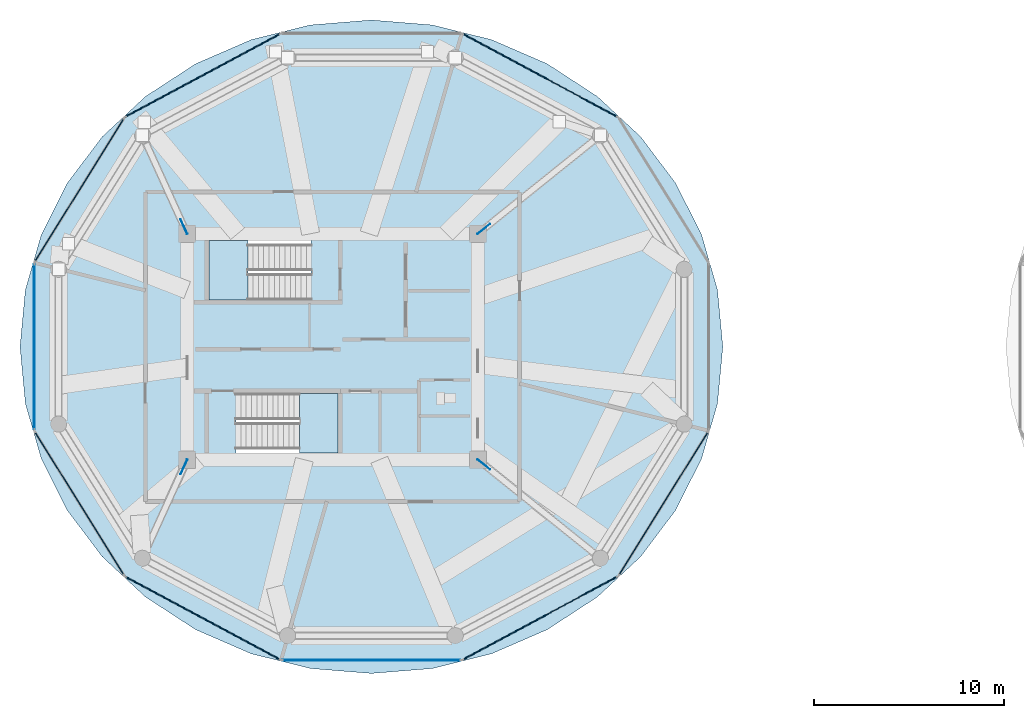
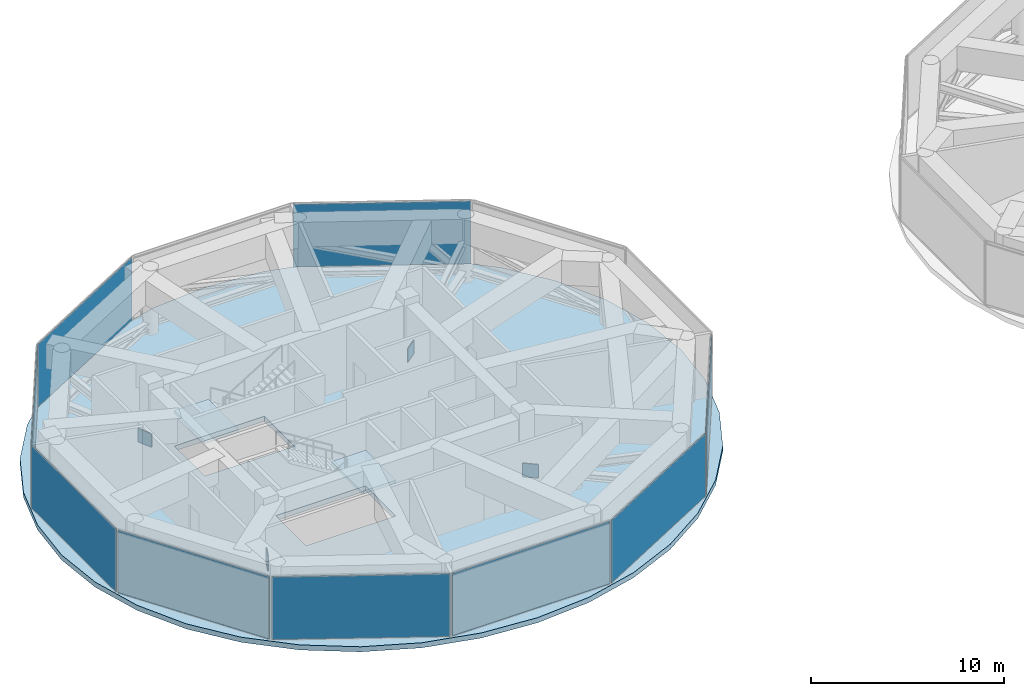
# One storey, part 12 of 23: 13 plates, 3 slabs, 11 elements without a shape of their own.
"""IFC4 building model written with IfcOpenShell, lengths in metres."""

from ifc_helpers import new_model, si_unit, direction, frame, origin, origin_2d, place, context, subcontext, project, spatial, polyline, rectangle, outline, extrude, source, transform, mapped, material, layer, layer_set, type_object, type_shapes, element, aggregate, save


model = new_model("IFC4")

# Units and contexts
model_context = context("Model", 3, precision=1e-05, world=origin(), true_north=direction((0.0, 1.0)))
body_context = subcontext(model_context, "Body", "Model", "MODEL_VIEW")
ifc_project = project(units=[si_unit("LENGTHUNIT", "METRE"), si_unit("AREAUNIT", "SQUARE_METRE"), si_unit("VOLUMEUNIT", "CUBIC_METRE"), si_unit("PLANEANGLEUNIT", "RADIAN"), si_unit("MASSUNIT", "GRAM", prefix="KILO")], contexts=[model_context])

# Site, building, storey
site_placement = place(None, origin())
site = spatial("IfcSite", under=ifc_project, at=site_placement, CompositionType="ELEMENT")
building_placement = place(site_placement, origin())
building = spatial("IfcBuilding", under=site, at=building_placement, Name="Norrkilde Senior Care Towers", CompositionType="ELEMENT")
storey_placement = place(building_placement, frame((0.0, 0.0, 129.800048828125)))
storey = spatial("IfcBuildingStorey", under=building, at=storey_placement, Name="L40", CompositionType="ELEMENT", Elevation=129.800048828125)

# Slab
ifc_material_1 = material(Name="Concrete C50/60", Category="concrete")
ifc_layer_1 = layer(ifc_material_1, 0.320068359375)
ifc_layer_set_1 = layer_set([ifc_layer_1], Name="Concrete C50/60")
slab_type_1 = type_object("IfcSlabType", Name="Podium Clinic Floor Slab 320", PredefinedType="FLOOR", material=ifc_layer_set_1)
slab_1_placement = place(storey_placement, frame((0.0, 0.0, -0.320068359375)))
element("IfcSlab", 1, at=slab_1_placement, inside=storey, type_object=slab_type_1, Name="L40 Drum W Structural Floor Slab", PredefinedType="FLOOR", context=body_context, shape_type="SweptSolid", body=[
    extrude(outline(polyline([(-8.565673828125, -5.8828125), (-9.928466796875, -8.60009765625), (-11.778076171875, -11.055908203125), (-14.058349609375, -13.176025390625), (-16.699951171875, -14.895751953125), (-19.62255859375, -16.16259765625), (-22.737548828125, -16.938720703125), (-25.949951171875, -17.199951171875), (-29.16259765625, -16.938720703125), (-32.27734375, -16.16259765625), (-35.199951171875, -14.895751953125), (-37.841552734375, -13.176025390625), (-40.121826171875, -11.055908203125), (-41.971435546875, -8.60009765625), (-43.334228515625, -5.8828125), (-44.1689453125, -2.98681640625), (-44.449951171875, 0.0), (-44.1689453125, 2.98681640625), (-43.334228515625, 5.8828125), (-41.971435546875, 8.60009765625), (-40.121826171875, 11.055908203125), (-37.841552734375, 13.176025390625), (-35.199951171875, 14.895751953125), (-32.27734375, 16.16259765625), (-29.16259765625, 16.938720703125), (-25.949951171875, 17.199951171875), (-22.737548828125, 16.938720703125), (-19.62255859375, 16.16259765625), (-16.699951171875, 14.895751953125), (-14.058349609375, 13.176025390625), (-11.778076171875, 11.055908203125), (-9.928466796875, 8.60009765625), (-8.565673828125, 5.8828125), (-7.73095703125, 2.98681640625), (-7.449951171875, 0.0), (-7.73095703125, -2.98681640625), (-8.565673828125, -5.8828125)]), holes=[polyline([(-34.48193359375, 2.468017578125), (-29.117919921875, 2.468017578125), (-29.117919921875, 5.590087890625), (-34.48193359375, 5.590087890625), (-34.48193359375, 2.468017578125)]), polyline([(-27.718017578125, -5.590087890625), (-27.718017578125, -2.468017578125), (-33.08203125, -2.468017578125), (-33.08203125, -5.590087890625), (-27.718017578125, -5.590087890625)])]), origin(), (0.0, 0.0, 1.0), 0.320068359375),
])

# Stair, slab
ifc_material_2 = material(Name="Concrete C45/55", Category="concrete")
stair_type = type_object("IfcStairType", Name="Core Protected Dogleg Stair Refuge 4500", PredefinedType="HALF_TURN_STAIR", material=ifc_material_2)
stair_1_placement = place(storey_placement, origin())
stair_1 = element("IfcStair", 2, at=stair_1_placement, inside=storey, type_object=stair_type, Name="L40 Protected Core Stair W1", PredefinedType="HALF_TURN_STAIR")
ifc_layer_2 = layer(ifc_material_2, 0.199951171875)
ifc_layer_set_2 = layer_set([ifc_layer_2], Name="Concrete C45/55")
slab_type_2 = type_object("IfcSlabType", Name="Stair Landing Slab 200", PredefinedType="LANDING", material=ifc_layer_set_2)
slab_2_placement = place(storey_placement, frame((0.0, 0.0, 2.050048828125)))
slab_2 = element("IfcSlab", 3, at=slab_2_placement, type_object=slab_type_2, Name="ST-W1 landing 1", PredefinedType="LANDING", context=body_context, shape_type="SweptSolid", body=[
    extrude(outline(polyline([(-32.4599609375, 5.590087890625), (-34.5, 5.590087890625), (-34.5, 2.449951171875), (-32.4599609375, 2.449951171875), (-32.4599609375, 5.590087890625)])), origin(), (0.0, 0.0, 1.0), 0.199951171875),
])
aggregate(stair_1, [slab_2])

stair_2_placement = place(storey_placement, origin())
stair_2 = element("IfcStair", 4, at=stair_2_placement, inside=storey, type_object=stair_type, Name="L40 Protected Core Stair W2", PredefinedType="HALF_TURN_STAIR")
slab_3_placement = place(storey_placement, frame((0.0, 0.0, 2.050048828125)))
slab_3 = element("IfcSlab", 5, at=slab_3_placement, type_object=slab_type_2, Name="ST-W2 landing 1", PredefinedType="LANDING", context=body_context, shape_type="SweptSolid", body=[
    extrude(outline(polyline([(-29.739990234375, -5.590087890625), (-27.699951171875, -5.590087890625), (-27.699951171875, -2.449951171875), (-29.739990234375, -2.449951171875), (-29.739990234375, -5.590087890625)])), origin(), (0.0, 0.0, 1.0), 0.199951171875),
])
aggregate(stair_2, [slab_3])

# Plates
ifc_material_3 = material(Name="Steel S355", Category="steel")
ifc_layer_3 = layer(ifc_material_3, 0.034912109375)
ifc_layer_set_3 = layer_set([ifc_layer_3], Name="Steel S355")
plate_type_1 = type_object("IfcPlateType", Name="Truss Node Gusset Plate 35", PredefinedType="USERDEFINED", material=ifc_layer_set_3)
shared_shape_1 = source(origin(), body_context, "Body", "SweptSolid", [
    extrude(rectangle(XDim=0.85009765625, YDim=0.034912109375, at=origin_2d()), origin(), (0.0, 0.0, 1.0), 0.85009765625),
])
type_shapes(plate_type_1, [shared_shape_1])
for number, where, z_axis, x_axis, name in (
    (6, (-35.819580078125, -6.3232421875, 0.125), (0.0, 0.0, 1.0), (-0.413581054412, -0.910467303878, 0.0), "L40 Outrigger Node Assembly ND-1 Gusset Plate"),
    (7, (-20.0302734375, -6.206787109375, 0.125), (0.0, 0.0, 1.0), (0.779571602072, -0.626313114379, 0.0), "L40 Outrigger Node Assembly ND-2 Gusset Plate"),
    (8, (-20.0302734375, 6.206787109375, 0.125), (0.0, 0.0, 1.0), (0.779571602072, 0.626313114379, 0.0), "L40 Outrigger Node Assembly ND-3 Gusset Plate"),
    (9, (-35.819580078125, 6.3232421875, 0.125), (0.0, 0.0, 1.0), (-0.413581054412, 0.910467303878, 0.0), "L40 Outrigger Node Assembly ND-4 Gusset Plate"),
):
    element("IfcPlate", number, at=place(storey_placement, frame(where, z_axis=z_axis, x_axis=x_axis)), inside=storey, type_object=plate_type_1, Name=name, ObjectType="GUSSET_PLATE", PredefinedType="USERDEFINED", context=body_context, shape_type="MappedRepresentation", body=[
        mapped(shared_shape_1, transform((0.0, 0.0, 0.0), x_axis=(1.0, 0.0, 0.0), y_axis=(0.0, 1.0, 0.0), z_axis=(0.0, 0.0, 1.0), scale=1.0)),
    ])

# Curtain wall, plate
ifc_material_4 = material(Name="Triple Low-E Insulated Glazing", Category="glass")
ifc_layer_4 = layer(ifc_material_4, 0.18505859375)
ifc_layer_set_4 = layer_set([ifc_layer_4], Name="Triple Low-E Insulated Glazing")
curtain_wall_type = type_object("IfcCurtainWallType", Name="CW6 Zone 4 Crown Pavilion Curtain Wall", PredefinedType="NOTDEFINED", material=ifc_layer_set_4)
curtain_wall_1_placement = place(storey_placement, origin())
curtain_wall_1 = element("IfcCurtainWall", 10, at=curtain_wall_1_placement, inside=storey, type_object=curtain_wall_type, Name="L40 Drum W Curtain Wall 04", PredefinedType="NOTDEFINED")
ifc_material_5 = material(Name="Architectural Terracotta", Category="masonry")
ifc_layer_5 = layer(ifc_material_5, 0.048095703125)
ifc_layer_set_5 = layer_set([ifc_layer_5], Name="Architectural Terracotta")
plate_type_2 = type_object("IfcPlateType", Name="Insulated Terracotta Spandrel Panel 48", PredefinedType="CURTAIN_PANEL", material=ifc_layer_set_5)
shared_shape_2 = source(origin(), body_context, "Body", "SweptSolid", [
    extrude(rectangle(XDim=8.874267578125, YDim=0.048095703125, at=origin_2d()), origin(), (0.0, 0.0, 1.0), 3.949951171875),
])
plate_1_placement = place(storey_placement, frame((-41.3251953125, 8.2490234375, 0.06494140625), z_axis=(0.0, 0.0, 1.0), x_axis=(0.527733228002, 0.849410171862, 0.0)))
plate_1 = element("IfcPlate", 11, at=plate_1_placement, type_object=plate_type_2, Name="CW-6 panel 1.1", PredefinedType="CURTAIN_PANEL", context=body_context, shape_type="MappedRepresentation", body=[
    mapped(shared_shape_2, transform((0.0, 0.0, 0.0), x_axis=(1.0, 0.0, 0.0), y_axis=(0.0, 1.0, 0.0), z_axis=(0.0, 0.0, 1.0), scale=1.0)),
])
aggregate(curtain_wall_1, [plate_1])

curtain_wall_2_placement = place(storey_placement, origin())
curtain_wall_2 = element("IfcCurtainWall", 12, at=curtain_wall_2_placement, inside=storey, type_object=curtain_wall_type, Name="L40 Drum W Curtain Wall 06", PredefinedType="NOTDEFINED")
plate_2_placement = place(storey_placement, frame((-41.3251953125, -8.2490234375, 0.06494140625), z_axis=(0.0, 0.0, 1.0), x_axis=(-0.527733228002, 0.849410171862, 0.0)))
plate_2 = element("IfcPlate", 13, at=plate_2_placement, type_object=plate_type_2, Name="CW-6 panel 1.1", PredefinedType="CURTAIN_PANEL", context=body_context, shape_type="MappedRepresentation", body=[
    mapped(shared_shape_2, transform((0.0, 0.0, 0.0), x_axis=(1.0, 0.0, 0.0), y_axis=(0.0, 1.0, 0.0), z_axis=(0.0, 0.0, 1.0), scale=1.0)),
])
aggregate(curtain_wall_2, [plate_2])

curtain_wall_3_placement = place(storey_placement, origin())
curtain_wall_3 = element("IfcCurtainWall", 14, at=curtain_wall_3_placement, inside=storey, type_object=curtain_wall_type, Name="L40 Drum W Curtain Wall 10", PredefinedType="NOTDEFINED")
plate_3_placement = place(storey_placement, frame((-10.574951171875, -8.2490234375, 0.06494140625), z_axis=(0.0, 0.0, 1.0), x_axis=(-0.527733228002, -0.849410171862, 0.0)))
plate_3 = element("IfcPlate", 15, at=plate_3_placement, type_object=plate_type_2, Name="CW-6 panel 1.1", PredefinedType="CURTAIN_PANEL", context=body_context, shape_type="MappedRepresentation", body=[
    mapped(shared_shape_2, transform((0.0, 0.0, 0.0), x_axis=(1.0, 0.0, 0.0), y_axis=(0.0, 1.0, 0.0), z_axis=(0.0, 0.0, 1.0), scale=1.0)),
])
aggregate(curtain_wall_3, [plate_3])

curtain_wall_4_placement = place(storey_placement, origin())
curtain_wall_4 = element("IfcCurtainWall", 16, at=curtain_wall_4_placement, inside=storey, type_object=curtain_wall_type, Name="L40 Drum W Curtain Wall 01", PredefinedType="NOTDEFINED")
shared_shape_3 = source(origin(), body_context, "Body", "SweptSolid", [
    extrude(rectangle(XDim=9.21044921875, YDim=0.048095703125, at=origin_2d()), origin(), (0.0, 0.0, 1.0), 3.949951171875),
])
plate_4_placement = place(storey_placement, frame((-17.0732421875, 14.28759765625, 0.06494140625), z_axis=(0.0, 0.0, 1.0), x_axis=(0.881186184668, -0.472769402511, 0.0)))
plate_4 = element("IfcPlate", 17, at=plate_4_placement, type_object=plate_type_2, Name="CW-6 panel 1.1", PredefinedType="CURTAIN_PANEL", context=body_context, shape_type="MappedRepresentation", body=[
    mapped(shared_shape_3, transform((0.0, 0.0, 0.0), x_axis=(1.0, 0.0, 0.0), y_axis=(0.0, 1.0, 0.0), z_axis=(0.0, 0.0, 1.0), scale=1.0)),
])
aggregate(curtain_wall_4, [plate_4])

curtain_wall_5_placement = place(storey_placement, origin())
curtain_wall_5 = element("IfcCurtainWall", 18, at=curtain_wall_5_placement, inside=storey, type_object=curtain_wall_type, Name="L40 Drum W Curtain Wall 03", PredefinedType="NOTDEFINED")
plate_5_placement = place(storey_placement, frame((-34.826904296875, 14.28759765625, 0.06494140625), z_axis=(0.0, 0.0, 1.0), x_axis=(0.881186184668, 0.472769402511, 0.0)))
plate_5 = element("IfcPlate", 19, at=plate_5_placement, type_object=plate_type_2, Name="CW-6 panel 1.1", PredefinedType="CURTAIN_PANEL", context=body_context, shape_type="MappedRepresentation", body=[
    mapped(shared_shape_3, transform((0.0, 0.0, 0.0), x_axis=(1.0, 0.0, 0.0), y_axis=(0.0, 1.0, 0.0), z_axis=(0.0, 0.0, 1.0), scale=1.0)),
])
aggregate(curtain_wall_5, [plate_5])

curtain_wall_6_placement = place(storey_placement, origin())
curtain_wall_6 = element("IfcCurtainWall", 20, at=curtain_wall_6_placement, inside=storey, type_object=curtain_wall_type, Name="L40 Drum W Curtain Wall 07", PredefinedType="NOTDEFINED")
plate_6_placement = place(storey_placement, frame((-34.826904296875, -14.28759765625, 0.06494140625), z_axis=(0.0, 0.0, 1.0), x_axis=(-0.881186184668, 0.472769402511, 0.0)))
plate_6 = element("IfcPlate", 21, at=plate_6_placement, type_object=plate_type_2, Name="CW-6 panel 1.1", PredefinedType="CURTAIN_PANEL", context=body_context, shape_type="MappedRepresentation", body=[
    mapped(shared_shape_3, transform((0.0, 0.0, 0.0), x_axis=(1.0, 0.0, 0.0), y_axis=(0.0, 1.0, 0.0), z_axis=(0.0, 0.0, 1.0), scale=1.0)),
])
aggregate(curtain_wall_6, [plate_6])

curtain_wall_7_placement = place(storey_placement, origin())
curtain_wall_7 = element("IfcCurtainWall", 22, at=curtain_wall_7_placement, inside=storey, type_object=curtain_wall_type, Name="L40 Drum W Curtain Wall 09", PredefinedType="NOTDEFINED")
plate_7_placement = place(storey_placement, frame((-17.0732421875, -14.28759765625, 0.06494140625), z_axis=(0.0, 0.0, 1.0), x_axis=(-0.881186184668, -0.472769402511, 0.0)))
plate_7 = element("IfcPlate", 23, at=plate_7_placement, type_object=plate_type_2, Name="CW-6 panel 1.1", PredefinedType="CURTAIN_PANEL", context=body_context, shape_type="MappedRepresentation", body=[
    mapped(shared_shape_3, transform((0.0, 0.0, 0.0), x_axis=(1.0, 0.0, 0.0), y_axis=(0.0, 1.0, 0.0), z_axis=(0.0, 0.0, 1.0), scale=1.0)),
])
aggregate(curtain_wall_7, [plate_7])

curtain_wall_8_placement = place(storey_placement, origin())
curtain_wall_8 = element("IfcCurtainWall", 24, at=curtain_wall_8_placement, inside=storey, type_object=curtain_wall_type, Name="L40 Drum W Curtain Wall 08", PredefinedType="NOTDEFINED")
shared_shape_4 = source(origin(), body_context, "Body", "SweptSolid", [
    extrude(rectangle(XDim=9.374267578125, YDim=0.048095703125, at=origin_2d()), origin(), (0.0, 0.0, 1.0), 3.949951171875),
])
plate_8_placement = place(storey_placement, frame((-25.949951171875, -16.498046875, 0.06494140625), z_axis=(0.0, 0.0, 1.0), x_axis=(-1.0, 0.0, 0.0)))
plate_8 = element("IfcPlate", 25, at=plate_8_placement, type_object=plate_type_2, Name="CW-6 panel 1.1", PredefinedType="CURTAIN_PANEL", context=body_context, shape_type="MappedRepresentation", body=[
    mapped(shared_shape_4, transform((0.0, 0.0, 0.0), x_axis=(1.0, 0.0, 0.0), y_axis=(0.0, 1.0, 0.0), z_axis=(0.0, 0.0, 1.0), scale=1.0)),
])
aggregate(curtain_wall_8, [plate_8])

curtain_wall_9_placement = place(storey_placement, origin())
curtain_wall_9 = element("IfcCurtainWall", 26, at=curtain_wall_9_placement, inside=storey, type_object=curtain_wall_type, Name="L40 Drum W Curtain Wall 05", PredefinedType="NOTDEFINED")
shared_shape_5 = source(origin(), body_context, "Body", "SweptSolid", [
    extrude(rectangle(XDim=8.701171875, YDim=0.048095703125, at=origin_2d()), origin(), (0.0, 0.0, 1.0), 3.949951171875),
])
type_shapes(plate_type_2, [shared_shape_2, shared_shape_3, shared_shape_4, shared_shape_5])
plate_9_placement = place(storey_placement, frame((-43.70361328125, 0.0, 0.06494140625), z_axis=(0.0, 0.0, 1.0), x_axis=(0.0, 1.0, 0.0)))
plate_9 = element("IfcPlate", 27, at=plate_9_placement, type_object=plate_type_2, Name="CW-6 panel 1.1", PredefinedType="CURTAIN_PANEL", context=body_context, shape_type="MappedRepresentation", body=[
    mapped(shared_shape_5, transform((0.0, 0.0, 0.0), x_axis=(1.0, 0.0, 0.0), y_axis=(0.0, 1.0, 0.0), z_axis=(0.0, 0.0, 1.0), scale=1.0)),
])
aggregate(curtain_wall_9, [plate_9])

save(model, "model.ifc")
